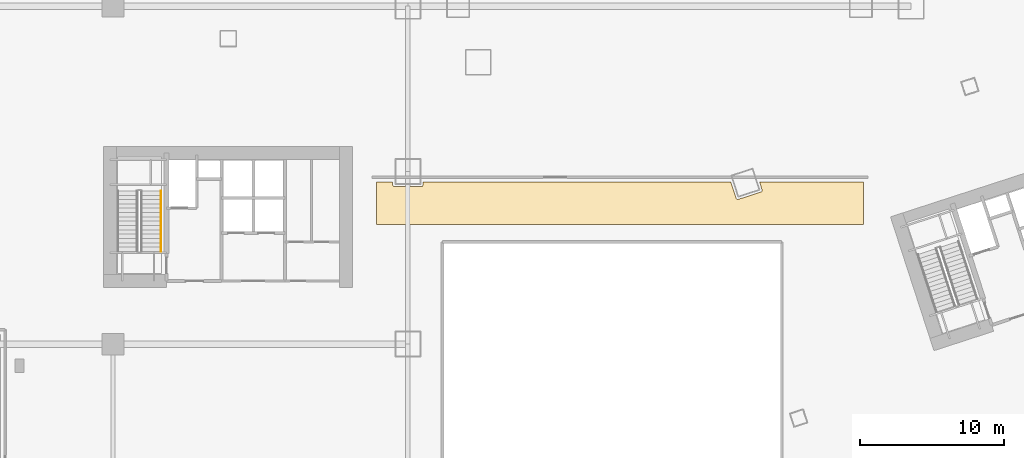
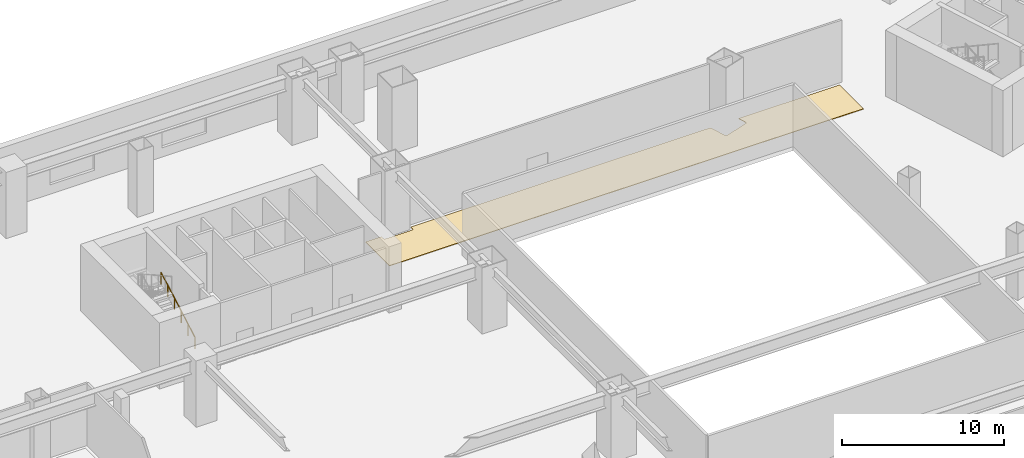
# One storey, part 33 of 35: 1 covering, 1 railing.
"""IFC4 building model written with IfcOpenShell, lengths in metres."""

import ifcopenshell
import ifcopenshell.guid

model = None  # the IFC model being written
_history = None  # IfcOwnerHistory: only IFC2X3 demands one
_inside = {}  # id of a spatial element -> (the spatial element, [elements in it])
_under = {}  # id of a project, library or spatial element -> (it, [spatial elements below it])
_declared = {}  # id of a project -> (the project, [libraries it declares])
_typed = {}  # id of a type object -> (the type object, [elements of that type])
_made_of = {}  # id of a material, layer set ... -> (it, [elements and type objects made of it])


def new_model(schema):
    """Start an empty IFC model of exactly this schema.

    Asked for "IFC4X3", IfcOpenShell would pick the latest addendum, in which some entities
    have other attributes; the version numbers below select the first issue.
    IFC2X3 requires an IfcOwnerHistory on every rooted entity: one is made here for all.
    """
    global model, _history
    if schema == "IFC4X3":
        model = ifcopenshell.file(schema_version=(4, 3, 0, 0))
    else:
        model = ifcopenshell.file(schema=schema)
    _inside.clear()
    _under.clear()
    _declared.clear()
    _typed.clear()
    _made_of.clear()
    _history = None
    if model.schema == "IFC2X3":
        org = make("IfcOrganization", Name="unknown")
        user = make(
            "IfcPersonAndOrganization",
            ThePerson=make("IfcPerson", FamilyName="unknown"),
            TheOrganization=org,
        )
        app = make(
            "IfcApplication",
            ApplicationDeveloper=org,
            Version="unknown",
            ApplicationFullName="unknown",
            ApplicationIdentifier="unknown",
        )
        _history = make(
            "IfcOwnerHistory",
            OwningUser=user,
            OwningApplication=app,
            ChangeAction="ADDED",
            CreationDate=0,
        )
    return model


def make(cls, **values):
    """One entity of the class cls with the attributes given. An attribute that is None is left unset."""
    return model.create_entity(
        cls, **{name: value for name, value in values.items() if value is not None}
    )


def rooted(cls, **values):
    """An entity with a GlobalId (a new one), such as an element, a storey or a relation."""
    return make(cls, GlobalId=ifcopenshell.guid.new(), OwnerHistory=_history, **values)


def si_unit(unit_type, name, prefix=None):
    """IfcSIUnit, for example si_unit("LENGTHUNIT", "METRE", prefix="MILLI")."""
    return make("IfcSIUnit", UnitType=unit_type, Prefix=prefix, Name=name)


def assignment(units):
    """IfcUnitAssignment: the units of a project."""
    return None if units is None else make("IfcUnitAssignment", Units=units)


def point(xyz):
    """IfcCartesianPoint."""
    return None if xyz is None else make("IfcCartesianPoint", Coordinates=xyz)


def direction(xyz):
    """IfcDirection."""
    return None if xyz is None else make("IfcDirection", DirectionRatios=xyz)


def frame(location, z_axis=None, x_axis=None):
    """IfcAxis2Placement3D, a coordinate frame: its origin and axes. An axis left out is left unset."""
    return make(
        "IfcAxis2Placement3D",
        Location=point(location),
        Axis=direction(z_axis),
        RefDirection=direction(x_axis),
    )


def frame_2d(location, x_axis=None):
    """IfcAxis2Placement2D, a coordinate frame in the plane: its origin and x axis."""
    return make(
        "IfcAxis2Placement2D", Location=point(location), RefDirection=direction(x_axis)
    )


def origin():
    """The frame at (0, 0, 0) with its axes left unset."""
    return frame((0.0, 0.0, 0.0))


def origin_2d():
    """The frame at (0, 0) in the plane with its x axis left unset."""
    return frame_2d((0.0, 0.0))


def place(relative_to, where):
    """IfcLocalPlacement: puts the frame where relative to a parent placement (None: the world)."""
    return make(
        "IfcLocalPlacement", PlacementRelTo=relative_to, RelativePlacement=where
    )


def context(
    kind, dimensions, precision=None, world=None, true_north=None, identifier=None
):
    """IfcGeometricRepresentationContext, for example the 3D "Model" context."""
    return make(
        "IfcGeometricRepresentationContext",
        ContextIdentifier=identifier,
        ContextType=kind,
        CoordinateSpaceDimension=dimensions,
        Precision=precision,
        WorldCoordinateSystem=world,
        TrueNorth=true_north,
    )


def subcontext(parent, identifier, kind, view, scale=None):
    """IfcGeometricRepresentationSubContext, for example "Body" below "Model"."""
    return make(
        "IfcGeometricRepresentationSubContext",
        ContextIdentifier=identifier,
        ContextType=kind,
        ParentContext=parent,
        TargetScale=scale,
        TargetView=view,
    )


def project(units=None, contexts=None):
    """IfcProject with its units and contexts."""
    return rooted(
        "IfcProject",
        Name="project",
        RepresentationContexts=contexts,
        UnitsInContext=assignment(units),
    )


def spatial(cls, under=None, at=None, **own):
    """A site, building, storey or space (cls), placed at a placement, below another one or the project."""
    s = rooted(cls, ObjectPlacement=at, **own)
    if under is not None:
        _under.setdefault(under.id(), (under, []))[1].append(s)
    return s


def polyline(points):
    """IfcPolyline through the points."""
    return make("IfcPolyline", Points=[point(p) for p in points])


def profile(cls, at=None, kind="AREA", **sizes):
    """A parametric profile (cls). Its sizes go by their IFC names, for example OverallWidth=200.0."""
    return make(cls, ProfileType=kind, Position=at, **sizes)


def circle(**sizes):
    """IfcCircleProfileDef."""
    return profile("IfcCircleProfileDef", **sizes)


def outline(outer, holes=None, kind="AREA"):
    """IfcArbitraryClosedProfileDef: a profile drawn as a closed curve; with holes, ...WithVoids."""
    if holes is None:
        return make("IfcArbitraryClosedProfileDef", ProfileType=kind, OuterCurve=outer)
    return make(
        "IfcArbitraryProfileDefWithVoids",
        ProfileType=kind,
        OuterCurve=outer,
        InnerCurves=holes,
    )


def extrude(swept, where, along, depth):
    """IfcExtrudedAreaSolid: the profile swept, set in the frame where, extruded along a direction by depth."""
    return make(
        "IfcExtrudedAreaSolid",
        SweptArea=swept,
        Position=where,
        ExtrudedDirection=direction(along),
        Depth=depth,
    )


def shape(context_of_items, identifier, shape_type, items):
    """IfcShapeRepresentation: the items that make up one representation, for example the "Body"."""
    return make(
        "IfcShapeRepresentation",
        ContextOfItems=context_of_items,
        RepresentationIdentifier=identifier,
        RepresentationType=shape_type,
        Items=items,
    )


def material(Name=None, Category=None):
    """IfcMaterial."""
    return make("IfcMaterial", Name=Name, Category=Category)


def layer(
    of_material, thickness, ventilated=None, Name=None, Category=None, Priority=None
):
    """IfcMaterialLayer: one layer of a wall or slab, of a material (None: an air gap)."""
    return make(
        "IfcMaterialLayer",
        Material=of_material,
        LayerThickness=thickness,
        IsVentilated=ventilated,
        Name=Name,
        Category=Category,
        Priority=Priority,
    )


def layer_set(layers, Name=None):
    """IfcMaterialLayerSet."""
    return make("IfcMaterialLayerSet", MaterialLayers=layers, LayerSetName=Name)


def made_of(thing, what):
    """Note that an element or type object is made of a material, layer set ...; save() writes the relation."""
    if what is not None:
        _made_of.setdefault(what.id(), (what, []))[1].append(thing)
    return thing


def type_object(cls, material=None, **own):
    """A type object (cls), such as IfcWallType, which elements share."""
    return made_of(rooted(cls, **own), material)


def element(
    cls,
    number,
    at=None,
    inside=None,
    cuts=None,
    type_object=None,
    material=None,
    context=None,
    identifier="Body",
    shape_type=None,
    held_by="IfcProductDefinitionShape",
    body=None,
    shapes=None,
    **own,
):
    """One element of the class cls, such as IfcWall. Its Tag is "e" and its number.

    at: its placement. inside: the storey or other place that contains it. cuts: it is an
    opening in that element (IfcRelVoidsElement). A single representation is given by context,
    identifier, shape_type and body (its items); several are given by shapes. held_by: the class
    of the entity that holds the representations. save() writes the other relations.
    """
    e = rooted(cls, Tag="e%d" % number, ObjectPlacement=at, **own)
    if body is not None:
        shapes = [shape(context, identifier, shape_type, body)]
    if shapes is not None:
        e.Representation = make(held_by, Representations=shapes)
    if inside is not None:
        _inside.setdefault(inside.id(), (inside, []))[1].append(e)
    if cuts is not None:
        rooted(
            "IfcRelVoidsElement", RelatingBuildingElement=cuts, RelatedOpeningElement=e
        )
    if type_object is not None:
        _typed.setdefault(type_object.id(), (type_object, []))[1].append(e)
    return made_of(e, material)


def aggregate(whole, parts):
    """IfcRelAggregates: a whole, such as a stair, and the parts it consists of."""
    return rooted("IfcRelAggregates", RelatingObject=whole, RelatedObjects=parts)


def save(model, path):
    """Write the relations noted so far, then the file.

    IfcRelAggregates (storeys below a building ...), IfcRelContainedInSpatialStructure (elements
    in a storey), IfcRelDefinesByType, IfcRelAssociatesMaterial and IfcRelDeclares: one each for
    every whole, place, type object, material and project.
    """
    for whole, parts in _under.values():
        aggregate(whole, parts)
    for where, things in _inside.values():
        rooted(
            "IfcRelContainedInSpatialStructure",
            RelatedElements=things,
            RelatingStructure=where,
        )
    for kind, things in _typed.values():
        rooted("IfcRelDefinesByType", RelatedObjects=things, RelatingType=kind)
    for what, things in _made_of.values():
        rooted("IfcRelAssociatesMaterial", RelatedObjects=things, RelatingMaterial=what)
    for by, libraries in _declared.values():
        rooted("IfcRelDeclares", RelatingContext=by, RelatedDefinitions=libraries)
    model.write(path)


model = new_model("IFC4")

# Units and contexts
model_context = context("Model", 3, precision=1e-05, world=origin(), true_north=direction((0.0, 1.0)))
body_context = subcontext(model_context, "Body", "Model", "MODEL_VIEW")
ifc_project = project(units=[si_unit("LENGTHUNIT", "METRE"), si_unit("AREAUNIT", "SQUARE_METRE"), si_unit("VOLUMEUNIT", "CUBIC_METRE"), si_unit("PLANEANGLEUNIT", "RADIAN"), si_unit("MASSUNIT", "GRAM", prefix="KILO")], contexts=[model_context])

# Site, building, storey
site_placement = place(None, origin())
site = spatial("IfcSite", under=ifc_project, at=site_placement, CompositionType="ELEMENT")
building_placement = place(site_placement, origin())
building = spatial("IfcBuilding", under=site, at=building_placement, Name="Qiaolan Cultural Towers", CompositionType="ELEMENT")
storey_placement = place(building_placement, frame((0.0, 0.0, 11.5)))
storey = spatial("IfcBuildingStorey", under=building, at=storey_placement, Name="L02", CompositionType="ELEMENT", Elevation=11.5)

# Covering
ifc_material_1 = material(Name="Honed Terrazzo & Raised Access Flooring", Category="concrete")
ifc_layer = layer(ifc_material_1, 0.0400390625)
ifc_layer_set = layer_set([ifc_layer], Name="Honed Terrazzo & Raised Access Flooring")
covering_type = type_object("IfcCoveringType", Name="COV-FLR-STONE", PredefinedType="FLOORING", material=ifc_layer_set)
covering_placement = place(storey_placement, origin())
element("IfcCovering", 1, at=covering_placement, inside=storey, type_object=covering_type, Name="L02 L02 North Civic Exhibition Gallery Finish Flooring", PredefinedType="FLOORING", context=body_context, shape_type="SweptSolid", body=[
    extrude(outline(polyline([(74.179931640625, 53.280029296875), (66.9541015625, 53.280029296875), (67.1328125, 52.73046875), (67.135986328125, 52.718994140625), (67.137939453125, 52.707275390625), (67.138671875, 52.695556640625), (67.13818359375, 52.683837890625), (67.13671875, 52.672119140625), (67.13427734375, 52.66064453125), (67.13037109375, 52.649658203125), (67.12548828125, 52.638916015625), (67.11962890625, 52.628662109375), (67.11279296875, 52.618896484375), (67.105224609375, 52.610107421875), (67.0966796875, 52.60205078125), (67.08740234375, 52.5947265625), (67.077392578125, 52.588623046875), (67.066650390625, 52.583251953125), (67.0556640625, 52.5791015625), (65.47705078125, 52.066162109375), (65.465576171875, 52.063232421875), (65.4541015625, 52.06103515625), (65.4423828125, 52.060302734375), (65.430419921875, 52.060791015625), (65.418701171875, 52.062255859375), (65.4072265625, 52.06494140625), (65.396240234375, 52.068603515625), (65.385498046875, 52.073486328125), (65.375244140625, 52.079345703125), (65.36572265625, 52.086181640625), (65.356689453125, 52.09375), (65.3486328125, 52.102294921875), (65.341552734375, 52.11181640625), (65.335205078125, 52.12158203125), (65.330078125, 52.13232421875), (65.32568359375, 52.143310546875), (64.95654296875, 53.280029296875), (43.550048828125, 53.280029296875), (43.550048828125, 53.070068359375), (43.54931640625, 53.058349609375), (43.547607421875, 53.046630859375), (43.544921875, 53.03515625), (43.540771484375, 53.024169921875), (43.535888671875, 53.013427734375), (43.52978515625, 53.00341796875), (43.522705078125, 52.993896484375), (43.514892578125, 52.985107421875), (43.506103515625, 52.977294921875), (43.49658203125, 52.97021484375), (43.486572265625, 52.964111328125), (43.475830078125, 52.959228515625), (43.46484375, 52.955078125), (43.453369140625, 52.952392578125), (43.441650390625, 52.95068359375), (43.429931640625, 52.949951171875), (41.570068359375, 52.949951171875), (41.558349609375, 52.95068359375), (41.546630859375, 52.952392578125), (41.53515625, 52.955078125), (41.524169921875, 52.959228515625), (41.513427734375, 52.964111328125), (41.50341796875, 52.97021484375), (41.493896484375, 52.977294921875), (41.485107421875, 52.985107421875), (41.477294921875, 52.993896484375), (41.47021484375, 53.00341796875), (41.464111328125, 53.013427734375), (41.459228515625, 53.024169921875), (41.455078125, 53.03515625), (41.452392578125, 53.046630859375), (41.45068359375, 53.058349609375), (41.449951171875, 53.070068359375), (41.449951171875, 53.280029296875), (40.320068359375, 53.280029296875), (40.320068359375, 50.320068359375), (74.179931640625, 50.320068359375), (74.179931640625, 53.280029296875)])), origin(), (0.0, 0.0, 1.0), 0.0400390625),
])

# Railing
ifc_material_2 = material(Name="Stainless Steel S30408 Tubular Handrail", Category="steel")
railing_type = type_object("IfcRailingType", Name="RL-STAIR-HR", PredefinedType="HANDRAIL", material=ifc_material_2)
railing_placement = place(storey_placement, frame((25.330078125, 48.449951171875, 0.166748046875)))
element("IfcRailing", 2, at=railing_placement, inside=storey, type_object=railing_type, Name="L02 ST-W2 stair handrail 1", PredefinedType="HANDRAIL", context=body_context, shape_type="SweptSolid", body=[
    extrude(circle(Radius=0.02392578125, at=origin_2d()), frame((0.0, 0.0, 0.8759765625), z_axis=(0.0, 0.874162069901, 0.485634302275), x_axis=(-1.0, 0.0, 0.0)), (0.0, 0.0, 1.0), 4.804443359375),
    extrude(circle(Radius=0.02099609375, at=origin_2d()), origin(), (0.0, 0.0, 1.0), 0.851806640625),
    extrude(circle(Radius=0.02099609375, at=origin_2d()), frame((0.0, 0.840087890625, 0.466552734375)), (0.0, 0.0, 1.0), 0.851806640625),
    extrude(circle(Radius=0.02099609375, at=origin_2d()), frame((0.0, 1.679931640625, 0.933349609375)), (0.0, 0.0, 1.0), 0.851806640625),
    extrude(circle(Radius=0.02099609375, at=origin_2d()), frame((0.0, 2.52001953125, 1.39990234375)), (0.0, 0.0, 1.0), 0.851806640625),
    extrude(circle(Radius=0.02099609375, at=origin_2d()), frame((0.0, 3.35986328125, 1.86669921875)), (0.0, 0.0, 1.0), 0.851806640625),
    extrude(circle(Radius=0.02099609375, at=origin_2d()), frame((0.0, 4.199951171875, 2.333251953125)), (0.0, 0.0, 1.0), 0.851806640625),
])

save(model, "model.ifc")
